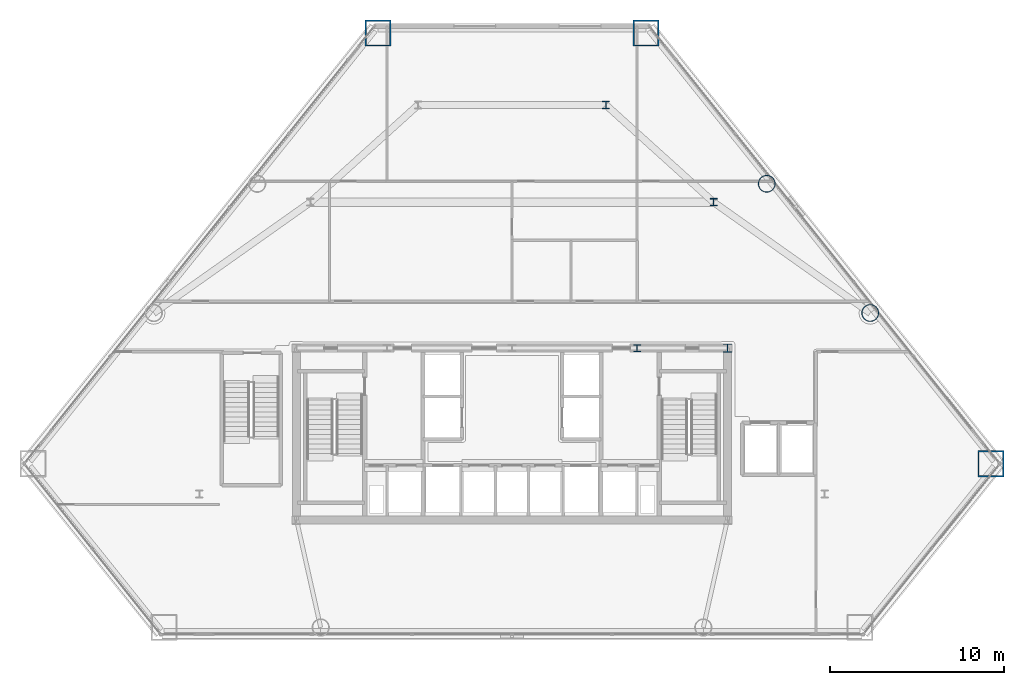
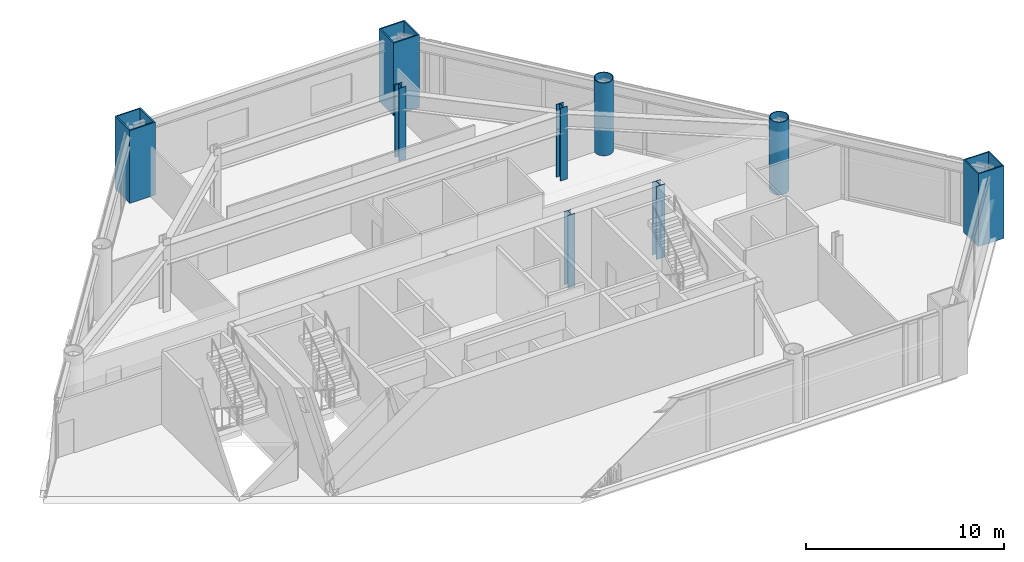
# One storey, part 2 of 13: 9 columns.
"""IFC4 building model written with IfcOpenShell, lengths in metres."""

from ifc_helpers import new_model, si_unit, direction, frame, origin, origin_2d, place, context, subcontext, project, spatial, hollow_rectangle, hollow_circle, i_section, extrude, material, material_profile, profile_set, type_object, element, save


model = new_model("IFC4")

# Units and contexts
model_context = context("Model", 3, precision=1e-05, world=origin(), true_north=direction((0.0, 1.0)))
body_context = subcontext(model_context, "Body", "Model", "MODEL_VIEW")
ifc_project = project(units=[si_unit("LENGTHUNIT", "METRE"), si_unit("AREAUNIT", "SQUARE_METRE"), si_unit("VOLUMEUNIT", "CUBIC_METRE"), si_unit("PLANEANGLEUNIT", "RADIAN"), si_unit("MASSUNIT", "GRAM", prefix="KILO")], contexts=[model_context])

# Site, building, storey
site_placement = place(None, origin())
site = spatial("IfcSite", under=ifc_project, at=site_placement, CompositionType="ELEMENT")
building_placement = place(site_placement, origin())
building = spatial("IfcBuilding", under=site, at=building_placement, Name="Talgorran Terracotta Tower", CompositionType="ELEMENT")
storey_placement = place(building_placement, frame((0.0, 0.0, 14.39990234375)))
storey = spatial("IfcBuildingStorey", under=building, at=storey_placement, Name="L03", CompositionType="ELEMENT", Elevation=14.39990234375)

# Columns
ifc_material_1 = material(Name="Steel S355 (300PLUS)", Category="steel")
ifc_material_profile_1 = material_profile(ifc_material_1, i_section(OverallWidth=0.39990234375, OverallDepth=0.43994140625, WebThickness=0.028076171875, FlangeThickness=0.0400390625, at=origin_2d()), Name="400WC328")
ifc_profile_set_1 = profile_set([ifc_material_profile_1], Name="Steel S355 (300PLUS)")
column_type_1 = type_object("IfcColumnType", Name="COL_400WC328", PredefinedType="COLUMN", material=ifc_profile_set_1)
for number, where, z_axis, x_axis, name in (
    (1, (11.60009765625, 4.199951171875, 0.0), (0.0, 0.0, 1.0), (1.0, 0.0, 0.0), "L03 Podium Column PC4"),
    (2, (5.39990234375, 9.800048828125, 0.0), (0.0, 0.0, 1.0), (1.0, 0.0, 0.0), "L03 Podium Column PC6"),
):
    element("IfcColumn", number, at=place(storey_placement, frame(where, z_axis=z_axis, x_axis=x_axis)), inside=storey, type_object=column_type_1, Name=name, PredefinedType="COLUMN", context=body_context, shape_type="SweptSolid", body=[
        extrude(i_section(OverallWidth=0.39990234375, OverallDepth=0.43994140625, WebThickness=0.028076171875, FlangeThickness=0.0400390625, at=origin_2d()), origin(), (0.0, 0.0, 1.0), 4.5),
    ])
ifc_material_profile_2 = material_profile(ifc_material_1, i_section(OverallWidth=0.5, OverallDepth=0.48193359375, WebThickness=0.0400390625, FlangeThickness=0.044921875, at=origin_2d()), Name="500WC440")
ifc_profile_set_2 = profile_set([ifc_material_profile_2], Name="Steel S355 (300PLUS)")
column_type_2 = type_object("IfcColumnType", Name="COL_500WC440", PredefinedType="COLUMN", material=ifc_profile_set_2)
column_1_placement = place(storey_placement, frame((12.39990234375, -4.199951171875, 0.0), z_axis=(0.0, 0.0, 1.0), x_axis=(1.0, 0.0, 0.0)))
element("IfcColumn", 3, at=column_1_placement, inside=storey, type_object=column_type_2, Name="L03 Core Boundary Column CC3", PredefinedType="COLUMN", context=body_context, shape_type="SweptSolid", body=[
    extrude(i_section(OverallWidth=0.5, OverallDepth=0.48193359375, WebThickness=0.0400390625, FlangeThickness=0.044921875, at=origin_2d()), origin(), (0.0, 0.0, 1.0), 4.5),
])
ifc_material_2 = material(Name="Steel Grade 350 (350L0)", Category="steel")
ifc_material_profile_3 = material_profile(ifc_material_2, hollow_rectangle(XDim=1.5, YDim=1.5, WallThickness=0.074951171875, at=origin_2d()), Name="CFT1500X1500X75")
ifc_profile_set_3 = profile_set([ifc_material_profile_3], Name="Steel Grade 350 (350L0)")
column_type_3 = type_object("IfcColumnType", Name="COL_CFT_1500", PredefinedType="COLUMN", material=ifc_profile_set_3)
for number, where, z_axis, x_axis, name in (
    (4, (27.56982421875, -10.85595703125, 0.0), (0.0, 0.0, 1.0), (1.0, 0.0, 0.0), "L03 Corner CFT Mega-Column MC4"),
    (5, (7.714111328125, 13.93603515625, 0.0), (0.0, 0.0, 1.0), (1.0, 0.0, 0.0), "L03 Corner CFT Mega-Column MC5"),
    (6, (-7.714111328125, 13.93603515625, 0.0), (0.0, 0.0, 1.0), (1.0, 0.0, 0.0), "L03 Corner CFT Mega-Column MC6"),
):
    element("IfcColumn", number, at=place(storey_placement, frame(where, z_axis=z_axis, x_axis=x_axis)), inside=storey, type_object=column_type_3, Name=name, PredefinedType="COLUMN", context=body_context, shape_type="SweptSolid", body=[
        extrude(hollow_rectangle(XDim=1.5, YDim=1.5, WallThickness=0.074951171875, at=origin_2d()), origin(), (0.0, 0.0, 1.0), 4.5),
    ])
ifc_material_profile_4 = material_profile(ifc_material_2, hollow_circle(Radius=0.5, WallThickness=0.044921875, at=origin_2d()), Name="CHS1000X45")
ifc_profile_set_4 = profile_set([ifc_material_profile_4], Name="Steel Grade 350 (350L0)")
column_type_4 = type_object("IfcColumnType", Name="COL_CHS_1000", PredefinedType="COLUMN", material=ifc_profile_set_4)
for number, where, z_axis, x_axis, name in (
    (7, (20.620361328125, -2.1787109375, 0.0), (0.0, 0.0, 1.0), (1.0, 0.0, 0.0), "L03 Facet Perimeter Column FC3"),
    (8, (14.663818359375, 5.2587890625, 0.0), (0.0, 0.0, 1.0), (1.0, 0.0, 0.0), "L03 Facet Perimeter Column FC4"),
):
    element("IfcColumn", number, at=place(storey_placement, frame(where, z_axis=z_axis, x_axis=x_axis)), inside=storey, type_object=column_type_4, Name=name, PredefinedType="COLUMN", context=body_context, shape_type="SweptSolid", body=[
        extrude(hollow_circle(Radius=0.5, WallThickness=0.044921875, at=origin_2d()), origin(), (0.0, 0.0, 1.0), 4.5),
    ])
ifc_material_profile_5 = material_profile(ifc_material_1, i_section(OverallWidth=0.405029296875, OverallDepth=0.4140625, WebThickness=0.02197265625, FlangeThickness=0.031982421875, at=origin_2d()), Name="400WC270")
ifc_profile_set_5 = profile_set([ifc_material_profile_5], Name="Steel S355 (300PLUS)")
column_type_5 = type_object("IfcColumnType", Name="COL_PIL_400WC270", PredefinedType="PILASTER", material=ifc_profile_set_5)
column_2_placement = place(storey_placement, frame((7.199951171875, -4.199951171875, 0.0), z_axis=(0.0, 0.0, 1.0), x_axis=(1.0, 0.0, 0.0)))
element("IfcColumn", 9, at=column_2_placement, inside=storey, type_object=column_type_5, Name="L03 Core Shear Pilaster CP3", PredefinedType="PILASTER", context=body_context, shape_type="SweptSolid", body=[
    extrude(i_section(OverallWidth=0.405029296875, OverallDepth=0.4140625, WebThickness=0.02197265625, FlangeThickness=0.031982421875, at=origin_2d()), origin(), (0.0, 0.0, 1.0), 4.5),
])

save(model, "model.ifc")
